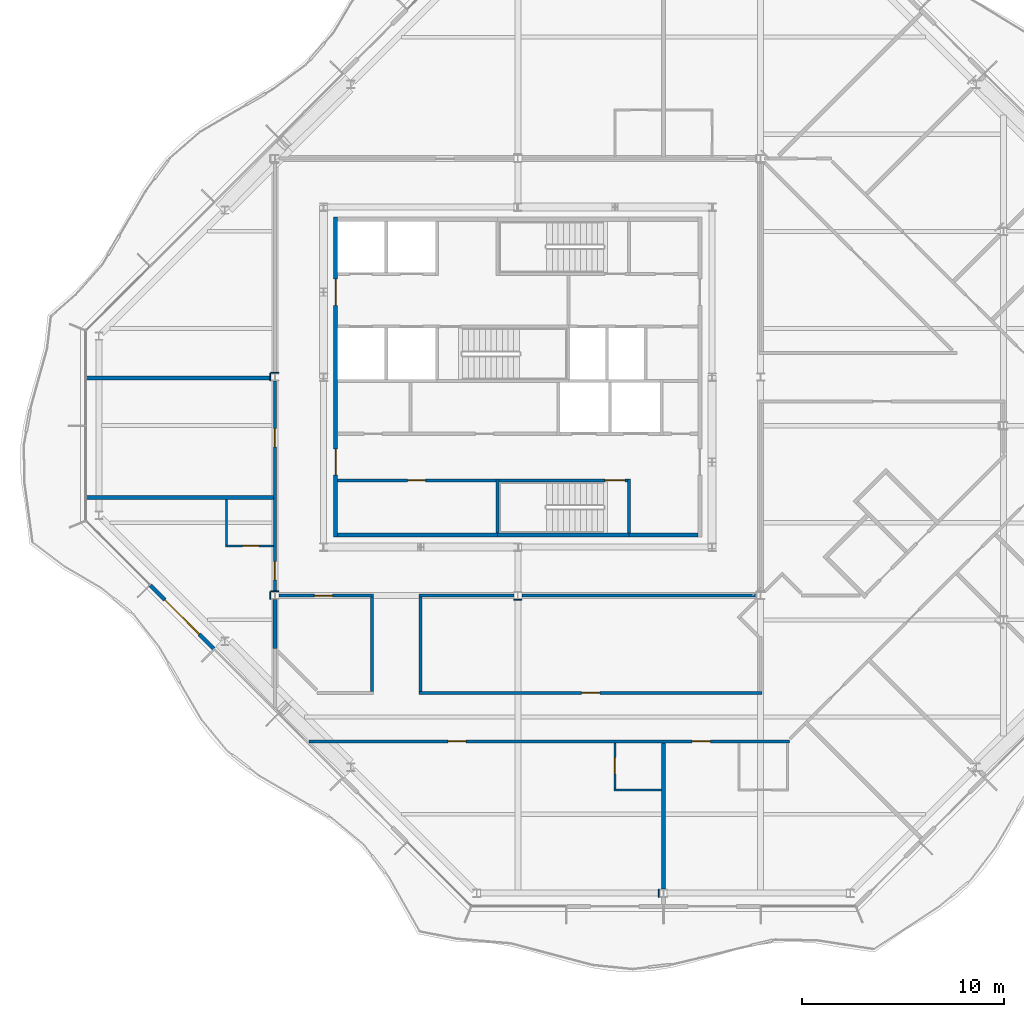
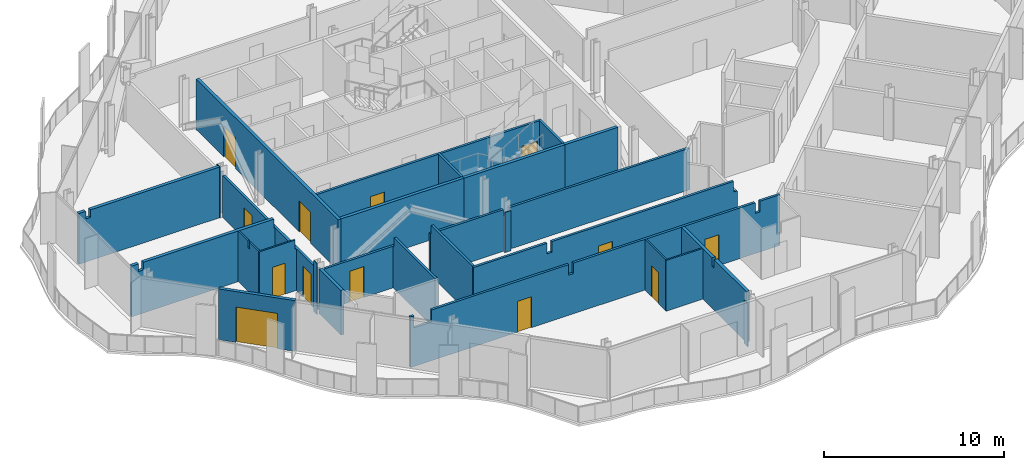
# One storey, part 7 of 17: 31 walls, 13 doors, 13 openings.
"""IFC4 building model written with IfcOpenShell, lengths in metres."""

from ifc_helpers import new_model, si_unit, direction, frame, frame_2d, origin, place, context, subcontext, project, spatial, polyline, rectangle, outline, extrude, material, layer, layer_set, type_object, element, fill, save


model = new_model("IFC4")

# Units and contexts
model_context = context("Model", 3, precision=1e-05, world=origin(), true_north=direction((0.0, 1.0)))
body_context = subcontext(model_context, "Body", "Model", "MODEL_VIEW")
ifc_project = project(units=[si_unit("LENGTHUNIT", "METRE"), si_unit("AREAUNIT", "SQUARE_METRE"), si_unit("VOLUMEUNIT", "CUBIC_METRE"), si_unit("PLANEANGLEUNIT", "RADIAN"), si_unit("MASSUNIT", "GRAM", prefix="KILO")], contexts=[model_context])

# Site, building, storey
site_placement = place(None, origin())
site = spatial("IfcSite", under=ifc_project, at=site_placement, CompositionType="ELEMENT")
building_placement = place(site_placement, origin())
building = spatial("IfcBuilding", under=site, at=building_placement, Name="Cairn Pilgrim Tower", CompositionType="ELEMENT")
storey_placement = place(building_placement, frame((0.0, 0.0, 243.0)))
storey = spatial("IfcBuildingStorey", under=building, at=storey_placement, Name="L62", CompositionType="ELEMENT", Elevation=243.0)

# Wall, opening, door
ifc_material_1 = material(Name="Bronze anodised aluminium insulated sandwich panel with mineral wool fill", Category="aluminium")
ifc_layer_1 = layer(ifc_material_1, 0.199951171875)
ifc_layer_set_1 = layer_set([ifc_layer_1], Name="BRONZE INFILL FRAME WALL 200")
wall_type_1 = type_object("IfcWallType", Name="BRONZE INFILL FRAME WALL 200", PredefinedType="NOTDEFINED", material=ifc_layer_set_1)
wall_1_placement = place(storey_placement, frame((-10.953125, -7.893310546875, 0.0), z_axis=(0.0, 0.0, 1.0), x_axis=(0.707106781187, -0.707106781187, 0.0)))
wall_1 = element("IfcWall", 1, at=wall_1_placement, inside=storey, type_object=wall_type_1, Name="Bronze infill frame wall IW-SW2", PredefinedType="NOTDEFINED", context=body_context, shape_type="SweptSolid", body=[
    extrude(rectangle(XDim=4.430908203125, YDim=0.199951171875, at=frame_2d((2.21533203125, 0.0))), origin(), (0.0, 0.0, 1.0), 3.449951171875),
])
opening_1_placement = place(wall_1_placement, frame((1.015380859375, 0.0, 0.0)))
opening_1 = element("IfcOpeningElement", 2, at=opening_1_placement, cuts=wall_1, Name="Opening 6214B", PredefinedType="OPENING", context=body_context, shape_type="SweptSolid", body=[
    extrude(rectangle(XDim=2.39990234375, YDim=2.39990234375, at=frame_2d((1.199951171875, 1.199951171875))), frame((0.0, 0.10986328125, 0.0), z_axis=(0.0, -1.0, 0.0), x_axis=(1.0, 0.0, 0.0)), (0.0, 0.0, 1.0), 0.219970703125),
])
ifc_material_2 = material(Name="Bronze anodised aluminium frame with tinted low-E glass", Category="aluminium")
door_type_1 = type_object("IfcDoorType", Name="BALCONY SLIDING DOOR 2400x2400", OperationType="DOUBLE_DOOR_SLIDING", PredefinedType="DOOR", material=ifc_material_2)
door_1_placement = place(opening_1_placement, origin())
door_1 = element("IfcDoor", 3, at=door_1_placement, inside=storey, type_object=door_type_1, Name="Balcony sliding door 6214B", OperationType="SINGLE_SWING_LEFT", OverallHeight=2.39990234375, OverallWidth=2.39990234375, PredefinedType="DOOR", context=body_context, shape_type="SweptSolid", body=[
    extrude(rectangle(XDim=2.39990234375, YDim=2.39990234375, at=frame_2d((1.199951171875, 1.199951171875))), frame((0.0, 0.02490234375, 0.0), z_axis=(0.0, -1.0, 0.0), x_axis=(1.0, 0.0, 0.0)), (0.0, 0.0, 1.0), 0.050048828125),
])
fill(opening_1, door_1)

# Walls
ifc_material_3 = material(Name="Concrete C32/40", Category="concrete")
ifc_layer_2 = layer(ifc_material_3, 0.199951171875)
ifc_layer_set_2 = layer_set([ifc_layer_2], Name="CORE OUTER WALL 200 EI 120")
wall_type_2 = type_object("IfcWallType", Name="CORE OUTER WALL 200 EI 120", PredefinedType="SOLIDWALL", material=ifc_layer_set_2)
wall_2_placement = place(storey_placement, frame((-1.699951171875, -5.39990234375, 0.0), z_axis=(0.0, 0.0, 1.0), x_axis=(1.0, 0.0, 0.0)))
element("IfcWall", 4, at=wall_2_placement, inside=storey, type_object=wall_type_2, Name="CW:L62:H01-1", PredefinedType="SOLIDWALL", context=body_context, shape_type="SweptSolid", body=[
    extrude(rectangle(XDim=7.89990234375, YDim=0.199951171875, at=frame_2d((3.949951171875, 0.0))), origin(), (0.0, 0.0, 1.0), 3.449951171875),
])
wall_3_placement = place(storey_placement, frame((12.699951171875, -5.39990234375, 0.0), z_axis=(0.0, 0.0, 1.0), x_axis=(1.0, 0.0, 0.0)))
element("IfcWall", 5, at=wall_3_placement, inside=storey, type_object=wall_type_2, Name="CW:L62:H01-3", PredefinedType="SOLIDWALL", context=body_context, shape_type="SweptSolid", body=[
    extrude(rectangle(XDim=3.400146484375, YDim=0.199951171875, at=frame_2d((1.7001953125, 0.0))), origin(), (0.0, 0.0, 1.0), 3.449951171875),
])

# Wall, openings, doors
wall_4_placement = place(storey_placement, frame((-1.800048828125, -5.5, 0.0), z_axis=(0.0, 0.0, 1.0), x_axis=(0.0, 1.0, 0.0)))
wall_4 = element("IfcWall", 6, at=wall_4_placement, inside=storey, type_object=wall_type_2, Name="CW:L62:V13", PredefinedType="SOLIDWALL", context=body_context, shape_type="SweptSolid", body=[
    extrude(rectangle(XDim=15.800048828125, YDim=0.199951171875, at=frame_2d((7.89990234375, 0.0))), origin(), (0.0, 0.0, 1.0), 3.449951171875),
])
opening_2_placement = place(wall_4_placement, frame((3.050048828125, 0.0, 0.0)))
opening_2 = element("IfcOpeningElement", 7, at=opening_2_placement, cuts=wall_4, Name="Opening CD-W1", PredefinedType="OPENING", context=body_context, shape_type="SweptSolid", body=[
    extrude(rectangle(XDim=1.300048828125, YDim=2.10009765625, at=frame_2d((0.64990234375, 1.050048828125))), frame((0.0, 0.10986328125, 0.0), z_axis=(0.0, -1.0, 0.0), x_axis=(1.0, 0.0, 0.0)), (0.0, 0.0, 1.0), 0.219970703125),
])
opening_3_placement = place(wall_4_placement, frame((11.449951171875, 0.0, 0.0)))
opening_3 = element("IfcOpeningElement", 8, at=opening_3_placement, cuts=wall_4, Name="Opening CD-W2", PredefinedType="OPENING", context=body_context, shape_type="SweptSolid", body=[
    extrude(rectangle(XDim=1.300048828125, YDim=2.10009765625, at=frame_2d((0.64990234375, 1.050048828125))), frame((0.0, 0.10986328125, 0.0), z_axis=(0.0, -1.0, 0.0), x_axis=(1.0, 0.0, 0.0)), (0.0, 0.0, 1.0), 0.219970703125),
])
ifc_material_4 = material(Name="Painted steel", Category="steel")
door_type_2 = type_object("IfcDoorType", Name="CORE LOBBY DOOR 1300x2100", OperationType="DOUBLE_DOOR_SINGLE_SWING", PredefinedType="DOOR", material=ifc_material_4)
door_2_placement = place(opening_2_placement, origin())
door_2 = element("IfcDoor", 9, at=door_2_placement, inside=storey, type_object=door_type_2, Name="CD-W1", OperationType="DOUBLE_DOOR_SINGLE_SWING", OverallHeight=2.10009765625, OverallWidth=1.300048828125, PredefinedType="DOOR", context=body_context, shape_type="SweptSolid", body=[
    extrude(rectangle(XDim=1.300048828125, YDim=2.10009765625, at=frame_2d((0.64990234375, 1.050048828125))), frame((0.0, 0.02490234375, 0.0), z_axis=(0.0, -1.0, 0.0), x_axis=(1.0, 0.0, 0.0)), (0.0, 0.0, 1.0), 0.050048828125),
])
fill(opening_2, door_2)
door_3_placement = place(opening_3_placement, origin())
door_3 = element("IfcDoor", 10, at=door_3_placement, inside=storey, type_object=door_type_2, Name="CD-W2", OperationType="DOUBLE_DOOR_SINGLE_SWING", OverallHeight=2.10009765625, OverallWidth=1.300048828125, PredefinedType="DOOR", context=body_context, shape_type="SweptSolid", body=[
    extrude(rectangle(XDim=1.300048828125, YDim=2.10009765625, at=frame_2d((0.64990234375, 1.050048828125))), frame((0.0, 0.02490234375, 0.0), z_axis=(0.0, -1.0, 0.0), x_axis=(1.0, 0.0, 0.0)), (0.0, 0.0, 1.0), 0.050048828125),
])
fill(opening_3, door_3)

# Wall, opening, door
ifc_layer_3 = layer(ifc_material_3, 0.14990234375)
ifc_layer_set_3 = layer_set([ifc_layer_3], Name="CORE PARTITION 150 EI 60")
wall_type_3 = type_object("IfcWallType", Name="CORE PARTITION 150 EI 60", PredefinedType="PARTITIONING", material=ifc_layer_set_3)
wall_5_placement = place(storey_placement, frame((-1.699951171875, -2.699951171875, 0.0), z_axis=(0.0, 0.0, 1.0), x_axis=(1.0, 0.0, 0.0)))
wall_5 = element("IfcWall", 11, at=wall_5_placement, inside=storey, type_object=wall_type_3, Name="CW:L62:H02", PredefinedType="PARTITIONING", context=body_context, shape_type="SweptSolid", body=[
    extrude(rectangle(XDim=7.824951171875, YDim=0.14990234375, at=frame_2d((3.91259765625, 0.0))), origin(), (0.0, 0.0, 1.0), 3.449951171875),
])
opening_4_placement = place(wall_5_placement, frame((3.449951171875, 0.0, 0.0)))
opening_4 = element("IfcOpeningElement", 12, at=opening_4_placement, cuts=wall_5, Name="Opening RD-R1W1", PredefinedType="OPENING", context=body_context, shape_type="SweptSolid", body=[
    extrude(rectangle(XDim=0.89990234375, YDim=2.10009765625, at=frame_2d((0.449951171875, 1.050048828125))), frame((0.0, 0.0849609375, 0.0), z_axis=(0.0, -1.0, 0.0), x_axis=(1.0, 0.0, 0.0)), (0.0, 0.0, 1.0), 0.169921875),
])
door_type_3 = type_object("IfcDoorType", Name="SERVICE ROOM DOOR 900x2100", OperationType="SINGLE_SWING_LEFT", PredefinedType="DOOR", material=ifc_material_4)
door_4_placement = place(opening_4_placement, origin())
door_4 = element("IfcDoor", 13, at=door_4_placement, inside=storey, type_object=door_type_3, Name="RD-R1W1", OperationType="SINGLE_SWING_LEFT", OverallHeight=2.10009765625, OverallWidth=0.89990234375, PredefinedType="DOOR", context=body_context, shape_type="SweptSolid", body=[
    extrude(rectangle(XDim=0.89990234375, YDim=2.10009765625, at=frame_2d((0.449951171875, 1.050048828125))), frame((0.0, 0.02490234375, 0.0), z_axis=(0.0, -1.0, 0.0), x_axis=(1.0, 0.0, 0.0)), (0.0, 0.0, 1.0), 0.050048828125),
])
fill(opening_4, door_4)

# Wall
ifc_material_5 = material(Name="Gypsum partition")
ifc_layer_4 = layer(ifc_material_5, 0.10009765625)
ifc_layer_set_4 = layer_set([ifc_layer_4], Name="PARTITION 100 DRYWALL")
wall_type_4 = type_object("IfcWallType", Name="PARTITION 100 DRYWALL", PredefinedType="PARTITIONING", material=ifc_layer_set_4)
wall_6_placement = place(storey_placement, frame((11.949951171875, -18.0, 0.0), z_axis=(0.0, 0.0, 1.0), x_axis=(1.0, 0.0, 0.0)))
element("IfcWall", 14, at=wall_6_placement, inside=storey, type_object=wall_type_4, Name="PARTITION W004", PredefinedType="PARTITIONING", context=body_context, shape_type="SweptSolid", body=[
    extrude(rectangle(XDim=2.35009765625, YDim=0.10009765625, at=frame_2d((1.175048828125, 0.0))), origin(), (0.0, 0.0, 1.0), 3.449951171875),
])

# Wall, opening, door
wall_7_placement = place(storey_placement, frame((12.0, -17.949951171875, 0.0), z_axis=(0.0, 0.0, 1.0), x_axis=(0.0, 1.0, 0.0)))
wall_7 = element("IfcWall", 15, at=wall_7_placement, inside=storey, type_object=wall_type_4, Name="PARTITION W006", PredefinedType="PARTITIONING", context=body_context, shape_type="SweptSolid", body=[
    extrude(rectangle(XDim=2.27490234375, YDim=0.10009765625, at=frame_2d((1.137451171875, 0.0))), origin(), (0.0, 0.0, 1.0), 3.449951171875),
])
opening_5_placement = place(wall_7_placement, frame((0.75, 0.0, 0.0)))
opening_5 = element("IfcOpeningElement", 16, at=opening_5_placement, cuts=wall_7, Name="Opening 6215A", PredefinedType="OPENING", context=body_context, shape_type="SweptSolid", body=[
    extrude(rectangle(XDim=0.800048828125, YDim=2.10009765625, at=frame_2d((0.39990234375, 1.050048828125))), frame((0.0, 0.06005859375, 0.0), z_axis=(0.0, -1.0, 0.0), x_axis=(1.0, 0.0, 0.0)), (0.0, 0.0, 1.0), 0.1201171875),
])
ifc_material_6 = material(Name="Timber door leaf", Category="wood")
door_type_4 = type_object("IfcDoorType", Name="WC DOOR 800x2100", OperationType="NOTDEFINED", PredefinedType="DOOR", material=ifc_material_6)
door_5_placement = place(opening_5_placement, origin())
door_5 = element("IfcDoor", 17, at=door_5_placement, inside=storey, type_object=door_type_4, Name="DOOR 6215A", OperationType="SINGLE_SWING_LEFT", OverallHeight=2.10009765625, OverallWidth=0.800048828125, PredefinedType="DOOR", context=body_context, shape_type="SweptSolid", body=[
    extrude(rectangle(XDim=0.800048828125, YDim=2.10009765625, at=frame_2d((0.39990234375, 1.050048828125))), frame((0.0, 0.02490234375, 0.0), z_axis=(0.0, -1.0, 0.0), x_axis=(1.0, 0.0, 0.0)), (0.0, 0.0, 1.0), 0.050048828125),
])
fill(opening_5, door_5)

wall_8_placement = place(storey_placement, frame((-7.25, -5.944091796875, 0.0), z_axis=(0.0, 0.0, 1.0), x_axis=(1.0, 0.0, 0.0)))
wall_8 = element("IfcWall", 18, at=wall_8_placement, inside=storey, type_object=wall_type_4, Name="PARTITION W043", PredefinedType="PARTITIONING", context=body_context, shape_type="SweptSolid", body=[
    extrude(outline(polyline([(0.0, 0.0), (2.375, 0.0), (2.375, 2.830078125), (2.300048828125, 2.830078125), (2.298095703125, 3.449951171875), (0.0, 3.449951171875), (0.0, 0.0)])), frame((0.0, 0.050048828125, 0.0), z_axis=(0.0, -1.0, 0.0), x_axis=(1.0, 0.0, 0.0)), (0.0, 0.0, 1.0), 0.10009765625),
])
opening_6_placement = place(wall_8_placement, frame((0.85009765625, 0.0, 0.0)))
opening_6 = element("IfcOpeningElement", 19, at=opening_6_placement, cuts=wall_8, Name="Opening 6214A", PredefinedType="OPENING", context=body_context, shape_type="SweptSolid", body=[
    extrude(rectangle(XDim=0.800048828125, YDim=2.10009765625, at=frame_2d((0.39990234375, 1.050048828125))), frame((0.0, 0.06005859375, 0.0), z_axis=(0.0, -1.0, 0.0), x_axis=(1.0, 0.0, 0.0)), (0.0, 0.0, 1.0), 0.1201171875),
])
door_6_placement = place(opening_6_placement, frame((0.800048828125, 0.0, 0.0), z_axis=(0.0, 0.0, 1.0), x_axis=(-1.0, 0.0, 0.0)))
door_6 = element("IfcDoor", 20, at=door_6_placement, inside=storey, type_object=door_type_4, Name="DOOR 6214A", OperationType="SINGLE_SWING_LEFT", OverallHeight=2.10009765625, OverallWidth=0.800048828125, PredefinedType="DOOR", context=body_context, shape_type="SweptSolid", body=[
    extrude(rectangle(XDim=0.800048828125, YDim=2.10009765625, at=frame_2d((0.39990234375, 1.050048828125))), frame((0.0, 0.02490234375, 0.0), z_axis=(0.0, -1.0, 0.0), x_axis=(1.0, 0.0, 0.0)), (0.0, 0.0, 1.0), 0.050048828125),
])
fill(opening_6, door_6)

# Wall
wall_9_placement = place(storey_placement, frame((-7.199951171875, -5.89404296875, 0.0), z_axis=(0.0, 0.0, 1.0), x_axis=(0.0, 1.0, 0.0)))
element("IfcWall", 21, at=wall_9_placement, inside=storey, type_object=wall_type_4, Name="PARTITION W044", PredefinedType="PARTITIONING", context=body_context, shape_type="SweptSolid", body=[
    extrude(outline(polyline([(0.0, 0.0), (2.25, 0.0), (2.25, 3.449951171875), (1.18896484375, 3.449951171875), (1.18701171875, 2.97998046875), (0.9990234375, 2.97998046875), (0.9970703125, 3.449951171875), (0.0, 3.449951171875), (0.0, 0.0)])), frame((0.0, 0.050048828125, 0.0), z_axis=(0.0, -1.0, 0.0), x_axis=(1.0, 0.0, 0.0)), (0.0, 0.0, 1.0), 0.10009765625),
])

# Wall, openings, doors
ifc_layer_5 = layer(ifc_material_5, 0.14990234375)
ifc_layer_set_5 = layer_set([ifc_layer_5], Name="PARTITION 150 DRYWALL EI 60")
wall_type_5 = type_object("IfcWallType", Name="PARTITION 150 DRYWALL EI 60", PredefinedType="PARTITIONING", material=ifc_layer_set_5)
wall_10_placement = place(storey_placement, frame((-3.126220703125, -15.60009765625, 0.0), z_axis=(0.0, 0.0, 1.0), x_axis=(1.0, 0.0, 0.0)))
wall_10 = element("IfcWall", 22, at=wall_10_placement, inside=storey, type_object=wall_type_5, Name="PARTITION W011", PredefinedType="PARTITIONING", context=body_context, shape_type="SweptSolid", body=[
    extrude(outline(polyline([(0.0, 0.0), (23.75341796875, 0.0), (23.753173828125, 3.449951171875), (22.47607421875, 3.449951171875), (22.47412109375, 2.72998046875), (22.176025390625, 2.72998046875), (22.174072265625, 3.449951171875), (10.47607421875, 3.449951171875), (10.47412109375, 2.72998046875), (10.176025390625, 2.72998046875), (10.174072265625, 3.449951171875), (1.368896484375, 3.449951171875), (1.366943359375, 2.6298828125), (0.22900390625, 2.6298828125), (0.226806640625, 3.449951171875), (0.0, 3.449951171875), (0.0, 0.0)])), frame((0.0, 0.074951171875, 0.0), z_axis=(0.0, -1.0, 0.0), x_axis=(1.0, 0.0, 0.0)), (0.0, 0.0, 1.0), 0.14990234375),
])
opening_7_placement = place(wall_10_placement, frame((18.93701171875, 0.0, 0.0)))
opening_7 = element("IfcOpeningElement", 23, at=opening_7_placement, cuts=wall_10, Name="Opening 6201", PredefinedType="OPENING", context=body_context, shape_type="SweptSolid", body=[
    extrude(rectangle(XDim=0.89990234375, YDim=2.10009765625, at=frame_2d((0.449951171875, 1.050048828125))), frame((0.0, 0.0849609375, 0.0), z_axis=(0.0, -1.0, 0.0), x_axis=(1.0, 0.0, 0.0)), (0.0, 0.0, 1.0), 0.169921875),
])
opening_8_placement = place(wall_10_placement, frame((6.8759765625, 0.0, 0.0)))
opening_8 = element("IfcOpeningElement", 24, at=opening_8_placement, cuts=wall_10, Name="Opening 6215", PredefinedType="OPENING", context=body_context, shape_type="SweptSolid", body=[
    extrude(rectangle(XDim=0.89990234375, YDim=2.10009765625, at=frame_2d((0.449951171875, 1.050048828125))), frame((0.0, 0.0849609375, 0.0), z_axis=(0.0, -1.0, 0.0), x_axis=(1.0, 0.0, 0.0)), (0.0, 0.0, 1.0), 0.169921875),
])
door_type_5 = type_object("IfcDoorType", Name="ROOM DOOR 900x2100 FD30S", OperationType="NOTDEFINED", PredefinedType="DOOR", material=ifc_material_6)
door_7_placement = place(opening_7_placement, frame((0.89990234375, 0.0, 0.0), z_axis=(0.0, 0.0, 1.0), x_axis=(-1.0, 0.0, 0.0)))
door_7 = element("IfcDoor", 25, at=door_7_placement, inside=storey, type_object=door_type_5, Name="DOOR 6201", OperationType="SINGLE_SWING_RIGHT", OverallHeight=2.10009765625, OverallWidth=0.89990234375, PredefinedType="DOOR", context=body_context, shape_type="SweptSolid", body=[
    extrude(rectangle(XDim=0.89990234375, YDim=2.10009765625, at=frame_2d((0.449951171875, 1.050048828125))), frame((0.0, 0.02490234375, 0.0), z_axis=(0.0, -1.0, 0.0), x_axis=(1.0, 0.0, 0.0)), (0.0, 0.0, 1.0), 0.050048828125),
])
fill(opening_7, door_7)
door_8_placement = place(opening_8_placement, frame((0.89990234375, 0.0, 0.0), z_axis=(0.0, 0.0, 1.0), x_axis=(-1.0, 0.0, 0.0)))
door_8 = element("IfcDoor", 26, at=door_8_placement, inside=storey, type_object=door_type_5, Name="DOOR 6215", OperationType="SINGLE_SWING_LEFT", OverallHeight=2.10009765625, OverallWidth=0.89990234375, PredefinedType="DOOR", context=body_context, shape_type="SweptSolid", body=[
    extrude(rectangle(XDim=0.89990234375, YDim=2.10009765625, at=frame_2d((0.449951171875, 1.050048828125))), frame((0.0, 0.02490234375, 0.0), z_axis=(0.0, -1.0, 0.0), x_axis=(1.0, 0.0, 0.0)), (0.0, 0.0, 1.0), 0.050048828125),
])
fill(opening_8, door_8)

# Wall, opening, door
wall_11_placement = place(storey_placement, frame((2.324951171875, -13.199951171875, 0.0), z_axis=(0.0, 0.0, 1.0), x_axis=(1.0, 0.0, 0.0)))
wall_11 = element("IfcWall", 27, at=wall_11_placement, inside=storey, type_object=wall_type_5, Name="PARTITION W016", PredefinedType="PARTITIONING", context=body_context, shape_type="SweptSolid", body=[
    extrude(outline(polyline([(0.0, 0.0), (16.949951171875, 0.0), (16.949951171875, 2.72998046875), (16.72509765625, 2.72998046875), (16.722900390625, 3.449951171875), (5.02490234375, 3.449951171875), (5.02294921875, 2.72998046875), (4.72509765625, 2.72998046875), (4.722900390625, 3.449951171875), (0.0, 3.449951171875), (0.0, 0.0)])), frame((0.0, 0.074951171875, 0.0), z_axis=(0.0, -1.0, 0.0), x_axis=(1.0, 0.0, 0.0)), (0.0, 0.0, 1.0), 0.14990234375),
])
opening_9_placement = place(wall_11_placement, frame((8.02490234375, 0.0, 0.0)))
opening_9 = element("IfcOpeningElement", 28, at=opening_9_placement, cuts=wall_11, Name="Opening 6221", PredefinedType="OPENING", context=body_context, shape_type="SweptSolid", body=[
    extrude(rectangle(XDim=0.89990234375, YDim=2.10009765625, at=frame_2d((0.449951171875, 1.050048828125))), frame((0.0, 0.0849609375, 0.0), z_axis=(0.0, -1.0, 0.0), x_axis=(1.0, 0.0, 0.0)), (0.0, 0.0, 1.0), 0.169921875),
])
door_type_6 = type_object("IfcDoorType", Name="SERVICE DOOR 900x2100 FD30S", OperationType="NOTDEFINED", PredefinedType="DOOR", material=ifc_material_6)
door_9_placement = place(opening_9_placement, origin())
door_9 = element("IfcDoor", 29, at=door_9_placement, inside=storey, type_object=door_type_6, Name="DOOR 6221", OperationType="SINGLE_SWING_RIGHT", OverallHeight=2.10009765625, OverallWidth=0.89990234375, PredefinedType="DOOR", context=body_context, shape_type="SweptSolid", body=[
    extrude(rectangle(XDim=0.89990234375, YDim=2.10009765625, at=frame_2d((0.449951171875, 1.050048828125))), frame((0.0, 0.02490234375, 0.0), z_axis=(0.0, -1.0, 0.0), x_axis=(1.0, 0.0, 0.0)), (0.0, 0.0, 1.0), 0.050048828125),
])
fill(opening_9, door_9)

# Walls
for number, where, z_axis, x_axis, name in (
    (30, (0.0, -13.125, 0.0), (0.0, 0.0, 1.0), (0.0, 1.0, 0.0), "PARTITION W018"),
    (31, (2.39990234375, -13.125, 0.0), (0.0, 0.0, 1.0), (0.0, 1.0, 0.0), "PARTITION W019"),
):
    element("IfcWall", number, at=place(storey_placement, frame(where, z_axis=z_axis, x_axis=x_axis)), inside=storey, type_object=wall_type_5, Name=name, PredefinedType="PARTITIONING", context=body_context, shape_type="SweptSolid", body=[
        extrude(outline(polyline([(0.0, 0.0), (4.64990234375, 0.0), (4.64990234375, 2.830078125), (4.574951171875, 2.830078125), (4.572998046875, 3.449951171875), (0.0, 3.449951171875), (0.0, 0.0)])), frame((0.0, 0.074951171875, 0.0), z_axis=(0.0, -1.0, 0.0), x_axis=(1.0, 0.0, 0.0)), (0.0, 0.0, 1.0), 0.14990234375),
    ])

# Wall, opening, door
wall_12_placement = place(storey_placement, frame((-4.60302734375, -8.39990234375, 0.0), z_axis=(0.0, 0.0, 1.0), x_axis=(1.0, 0.0, 0.0)))
wall_12 = element("IfcWall", 32, at=wall_12_placement, inside=storey, type_object=wall_type_5, Name="PARTITION W030", PredefinedType="PARTITIONING", context=body_context, shape_type="SweptSolid", body=[
    extrude(rectangle(XDim=4.677978515625, YDim=0.14990234375, at=frame_2d((2.3388671875, 0.0))), origin(), (0.0, 0.0, 1.0), 2.830078125),
])
opening_10_placement = place(wall_12_placement, frame((1.7529296875, 0.0, 0.0)))
opening_10 = element("IfcOpeningElement", 33, at=opening_10_placement, cuts=wall_12, Name="Opening 6220", PredefinedType="OPENING", context=body_context, shape_type="SweptSolid", body=[
    extrude(rectangle(XDim=0.89990234375, YDim=2.10009765625, at=frame_2d((0.449951171875, 1.050048828125))), frame((0.0, 0.0849609375, 0.0), z_axis=(0.0, -1.0, 0.0), x_axis=(1.0, 0.0, 0.0)), (0.0, 0.0, 1.0), 0.169921875),
])
door_10_placement = place(opening_10_placement, frame((0.89990234375, 0.0, 0.0), z_axis=(0.0, 0.0, 1.0), x_axis=(-1.0, 0.0, 0.0)))
door_10 = element("IfcDoor", 34, at=door_10_placement, inside=storey, type_object=door_type_6, Name="DOOR 6220", OperationType="SINGLE_SWING_RIGHT", OverallHeight=2.10009765625, OverallWidth=0.89990234375, PredefinedType="DOOR", context=body_context, shape_type="SweptSolid", body=[
    extrude(rectangle(XDim=0.89990234375, YDim=2.10009765625, at=frame_2d((0.449951171875, 1.050048828125))), frame((0.0, 0.02490234375, 0.0), z_axis=(0.0, -1.0, 0.0), x_axis=(1.0, 0.0, 0.0)), (0.0, 0.0, 1.0), 0.050048828125),
])
fill(opening_10, door_10)

# Walls
wall_13_placement = place(storey_placement, frame((2.324951171875, -8.39990234375, 0.0), z_axis=(0.0, 0.0, 1.0), x_axis=(1.0, 0.0, 0.0)))
element("IfcWall", 35, at=wall_13_placement, inside=storey, type_object=wall_type_5, Name="PARTITION W031", PredefinedType="PARTITIONING", context=body_context, shape_type="SweptSolid", body=[
    extrude(rectangle(XDim=4.677978515625, YDim=0.14990234375, at=frame_2d((2.3388671875, 0.0))), origin(), (0.0, 0.0, 1.0), 2.830078125),
])
wall_14_placement = place(storey_placement, frame((7.39697265625, -8.39990234375, 0.0), z_axis=(0.0, 0.0, 1.0), x_axis=(1.0, 0.0, 0.0)))
element("IfcWall", 36, at=wall_14_placement, inside=storey, type_object=wall_type_5, Name="PARTITION W032", PredefinedType="PARTITIONING", context=body_context, shape_type="SweptSolid", body=[
    extrude(rectangle(XDim=11.60595703125, YDim=0.14990234375, at=frame_2d((5.802978515625, 0.0))), origin(), (0.0, 0.0, 1.0), 2.830078125),
])

# Wall, openings, doors
wall_15_placement = place(storey_placement, frame((-4.800048828125, -8.21240234375, 0.0), z_axis=(0.0, 0.0, 1.0), x_axis=(0.0, 1.0, 0.0)))
wall_15 = element("IfcWall", 37, at=wall_15_placement, inside=storey, type_object=wall_type_5, Name="PARTITION W036", PredefinedType="PARTITIONING", context=body_context, shape_type="SweptSolid", body=[
    extrude(rectangle(XDim=10.4248046875, YDim=0.14990234375, at=frame_2d((5.21240234375, 0.0))), origin(), (0.0, 0.0, 1.0), 2.830078125),
])
opening_11_placement = place(wall_15_placement, frame((7.16259765625, 0.0, 0.0)))
opening_11 = element("IfcOpeningElement", 38, at=opening_11_placement, cuts=wall_15, Name="Opening 6213", PredefinedType="OPENING", context=body_context, shape_type="SweptSolid", body=[
    extrude(rectangle(XDim=0.89990234375, YDim=2.10009765625, at=frame_2d((0.449951171875, 1.050048828125))), frame((0.0, 0.0849609375, 0.0), z_axis=(0.0, -1.0, 0.0), x_axis=(1.0, 0.0, 0.0)), (0.0, 0.0, 1.0), 0.169921875),
])
opening_12_placement = place(wall_15_placement, frame((0.590576171875, 0.0, 0.0)))
opening_12 = element("IfcOpeningElement", 39, at=opening_12_placement, cuts=wall_15, Name="Opening 6214", PredefinedType="OPENING", context=body_context, shape_type="SweptSolid", body=[
    extrude(rectangle(XDim=0.89990234375, YDim=2.10009765625, at=frame_2d((0.449951171875, 1.050048828125))), frame((0.0, 0.0849609375, 0.0), z_axis=(0.0, -1.0, 0.0), x_axis=(1.0, 0.0, 0.0)), (0.0, 0.0, 1.0), 0.169921875),
])
door_11_placement = place(opening_12_placement, origin())
door_11 = element("IfcDoor", 40, at=door_11_placement, inside=storey, type_object=door_type_5, Name="DOOR 6214", OperationType="SINGLE_SWING_LEFT", OverallHeight=2.10009765625, OverallWidth=0.89990234375, PredefinedType="DOOR", context=body_context, shape_type="SweptSolid", body=[
    extrude(rectangle(XDim=0.89990234375, YDim=2.10009765625, at=frame_2d((0.449951171875, 1.050048828125))), frame((0.0, 0.02490234375, 0.0), z_axis=(0.0, -1.0, 0.0), x_axis=(1.0, 0.0, 0.0)), (0.0, 0.0, 1.0), 0.050048828125),
])
fill(opening_12, door_11)
door_12_placement = place(opening_11_placement, origin())
door_12 = element("IfcDoor", 41, at=door_12_placement, inside=storey, type_object=door_type_6, Name="DOOR 6213", OperationType="SINGLE_SWING_LEFT", OverallHeight=2.10009765625, OverallWidth=0.89990234375, PredefinedType="DOOR", context=body_context, shape_type="SweptSolid", body=[
    extrude(rectangle(XDim=0.89990234375, YDim=2.10009765625, at=frame_2d((0.449951171875, 1.050048828125))), frame((0.0, 0.02490234375, 0.0), z_axis=(0.0, -1.0, 0.0), x_axis=(1.0, 0.0, 0.0)), (0.0, 0.0, 1.0), 0.050048828125),
])
fill(opening_11, door_12)

# Walls
ifc_layer_6 = layer(ifc_material_5, 0.050048828125)
ifc_layer_set_6 = layer_set([ifc_layer_6], Name="PARTITION 50 DRYWALL EI 60")
wall_type_6 = type_object("IfcWallType", Name="PARTITION 50 DRYWALL EI 60", PredefinedType="PARTITIONING", material=ifc_layer_set_6)
wall_16_placement = place(storey_placement, frame((14.173095703125, -23.303466796875, 0.0), z_axis=(0.0, 0.0, 1.0), x_axis=(0.0, 1.0, 0.0)))
element("IfcWall", 42, at=wall_16_placement, inside=storey, type_object=wall_type_6, Name="COLUMN CASING WC01", PredefinedType="PARTITIONING", context=body_context, shape_type="SweptSolid", body=[
    extrude(rectangle(XDim=0.406982421875, YDim=0.050048828125, at=frame_2d((0.20361328125, 0.0))), origin(), (0.0, 0.0, 1.0), 2.929931640625),
])
for number, where, z_axis, x_axis, name in (
    (43, (-5.02197265625, -8.58740234375, 0.0), (0.0, 0.0, 1.0), (0.0, 1.0, 0.0), "COLUMN CASING WC05"),
    (44, (-5.02197265625, 2.21240234375, 0.0), (0.0, 0.0, 1.0), (0.0, 1.0, 0.0), "COLUMN CASING WC07"),
):
    element("IfcWall", number, at=place(storey_placement, frame(where, z_axis=z_axis, x_axis=x_axis)), inside=storey, type_object=wall_type_6, Name=name, PredefinedType="PARTITIONING", context=body_context, shape_type="SweptSolid", body=[
        extrude(rectangle(XDim=0.375, YDim=0.050048828125, at=frame_2d((0.1875, 0.0))), origin(), (0.0, 0.0, 1.0), 3.449951171875),
    ])
wall_17_placement = place(storey_placement, frame((-4.9970703125, -8.1875, 0.0), z_axis=(0.0, 0.0, 1.0), x_axis=(1.0, 0.0, 0.0)))
element("IfcWall", 45, at=wall_17_placement, inside=storey, type_object=wall_type_6, Name="COLUMN CASING WC09", PredefinedType="PARTITIONING", context=body_context, shape_type="SweptSolid", body=[
    extrude(rectangle(XDim=0.39404296875, YDim=0.050048828125, at=frame_2d((0.197021484375, 0.0))), origin(), (0.0, 0.0, 1.0), 2.830078125),
])
wall_18_placement = place(storey_placement, frame((7.0029296875, -8.612548828125, 0.0), z_axis=(0.0, 0.0, 1.0), x_axis=(1.0, 0.0, 0.0)))
element("IfcWall", 46, at=wall_18_placement, inside=storey, type_object=wall_type_6, Name="COLUMN CASING WC10", PredefinedType="PARTITIONING", context=body_context, shape_type="SweptSolid", body=[
    extrude(rectangle(XDim=0.39404296875, YDim=0.050048828125, at=frame_2d((0.197021484375, 0.0))), origin(), (0.0, 0.0, 1.0), 2.72998046875),
])
wall_19_placement = place(storey_placement, frame((-4.9970703125, 2.612548828125, 0.0), z_axis=(0.0, 0.0, 1.0), x_axis=(1.0, 0.0, 0.0)))
element("IfcWall", 47, at=wall_19_placement, inside=storey, type_object=wall_type_6, Name="COLUMN CASING WC14", PredefinedType="PARTITIONING", context=body_context, shape_type="SweptSolid", body=[
    extrude(rectangle(XDim=0.39404296875, YDim=0.050048828125, at=frame_2d((0.197021484375, 0.0))), origin(), (0.0, 0.0, 1.0), 2.830078125),
])
ifc_layer_7 = layer(ifc_material_5, 0.199951171875)
ifc_layer_set_7 = layer_set([ifc_layer_7], Name="SHAFT WALL 200 GYPSUM EI 60")
wall_type_7 = type_object("IfcWallType", Name="SHAFT WALL 200 GYPSUM EI 60", PredefinedType="PARTITIONING", material=ifc_layer_set_7)
wall_20_placement = place(storey_placement, frame((14.39990234375, -22.896484375, 0.0), z_axis=(0.0, 0.0, 1.0), x_axis=(0.0, 1.0, 0.0)))
element("IfcWall", 48, at=wall_20_placement, inside=storey, type_object=wall_type_7, Name="PARTITION W002", PredefinedType="PARTITIONING", context=body_context, shape_type="SweptSolid", body=[
    extrude(outline(polyline([(0.0, 0.0), (7.221435546875, 0.0), (7.221435546875, 3.449951171875), (3.801513671875, 3.449951171875), (3.799560546875, 2.8798828125), (3.591552734375, 2.8798828125), (3.589599609375, 3.449951171875), (0.0, 3.449951171875), (0.0, 0.0)])), frame((0.0, 0.10009765625, 0.0), z_axis=(0.0, -1.0, 0.0), x_axis=(1.0, 0.0, 0.0)), (0.0, 0.0, 1.0), 0.199951171875),
])
wall_21_placement = place(storey_placement, frame((-4.800048828125, -11.006103515625, 0.0), z_axis=(0.0, 0.0, 1.0), x_axis=(0.0, 1.0, 0.0)))
element("IfcWall", 49, at=wall_21_placement, inside=storey, type_object=wall_type_7, Name="PARTITION W024", PredefinedType="PARTITIONING", context=body_context, shape_type="SweptSolid", body=[
    extrude(rectangle(XDim=2.418701171875, YDim=0.199951171875, at=frame_2d((1.20947265625, 0.0))), origin(), (0.0, 0.0, 1.0), 3.030029296875),
])
wall_22_placement = place(storey_placement, frame((-14.10302734375, -3.5439453125, 0.0), z_axis=(0.0, 0.0, 1.0), x_axis=(1.0, 0.0, 0.0)))
element("IfcWall", 50, at=wall_22_placement, inside=storey, type_object=wall_type_7, Name="PARTITION W049", PredefinedType="PARTITIONING", context=body_context, shape_type="SweptSolid", body=[
    extrude(outline(polyline([(0.0, 0.0), (9.22802734375, 0.0), (9.22802734375, 2.830078125), (9.153076171875, 2.830078125), (9.15087890625, 3.449951171875), (0.7529296875, 3.449951171875), (0.7509765625, 2.929931640625), (0.452880859375, 2.929931640625), (0.450927734375, 3.449951171875), (0.0, 3.449951171875), (0.0, 0.0)])), frame((0.0, 0.10009765625, 0.0), z_axis=(0.0, -1.0, 0.0), x_axis=(1.0, 0.0, 0.0)), (0.0, 0.0, 1.0), 0.199951171875),
])
wall_23_placement = place(storey_placement, frame((-14.10302734375, 2.343994140625, 0.0), z_axis=(0.0, 0.0, 1.0), x_axis=(1.0, 0.0, 0.0)))
element("IfcWall", 51, at=wall_23_placement, inside=storey, type_object=wall_type_7, Name="PARTITION W060", PredefinedType="PARTITIONING", context=body_context, shape_type="SweptSolid", body=[
    extrude(outline(polyline([(0.0, 0.0), (9.10595703125, 0.0), (9.10595703125, 3.449951171875), (0.7529296875, 3.449951171875), (0.7509765625, 2.929931640625), (0.452880859375, 2.929931640625), (0.450927734375, 3.449951171875), (0.0, 3.449951171875), (0.0, 0.0)])), frame((0.0, 0.10009765625, 0.0), z_axis=(0.0, -1.0, 0.0), x_axis=(1.0, 0.0, 0.0)), (0.0, 0.0, 1.0), 0.199951171875),
])

# Wall, opening, door
ifc_material_7 = material(Name="Concrete C35/45", Category="concrete")
ifc_layer_8 = layer(ifc_material_7, 0.14990234375)
ifc_layer_set_8 = layer_set([ifc_layer_8], Name="STAIR SHAFT WALL 150 EI 120")
wall_type_8 = type_object("IfcWallType", Name="STAIR SHAFT WALL 150 EI 120", PredefinedType="SOLIDWALL", material=ifc_layer_set_8)
wall_24_placement = place(storey_placement, frame((6.27490234375, -2.699951171875, 0.0), z_axis=(0.0, 0.0, 1.0), x_axis=(1.0, 0.0, 0.0)))
wall_24 = element("IfcWall", 52, at=wall_24_placement, inside=storey, type_object=wall_type_8, Name="CW:L62:H03", PredefinedType="SOLIDWALL", context=body_context, shape_type="SweptSolid", body=[
    extrude(rectangle(XDim=6.35009765625, YDim=0.14990234375, at=frame_2d((3.175048828125, 0.0))), origin(), (0.0, 0.0, 1.0), 3.449951171875),
])
opening_13_placement = place(wall_24_placement, frame((5.22509765625, 0.0, 0.0)))
opening_13 = element("IfcOpeningElement", 53, at=opening_13_placement, cuts=wall_24, Name="Opening SD-A", PredefinedType="OPENING", context=body_context, shape_type="SweptSolid", body=[
    extrude(rectangle(XDim=1.0, YDim=2.10009765625, at=frame_2d((0.5, 1.050048828125))), frame((0.0, 0.0849609375, 0.0), z_axis=(0.0, -1.0, 0.0), x_axis=(1.0, 0.0, 0.0)), (0.0, 0.0, 1.0), 0.169921875),
])
door_type_7 = type_object("IfcDoorType", Name="STAIR DOOR FD60S 1000x2100", OperationType="SINGLE_SWING_LEFT", PredefinedType="DOOR", material=ifc_material_4)
door_13_placement = place(opening_13_placement, origin())
door_13 = element("IfcDoor", 54, at=door_13_placement, inside=storey, type_object=door_type_7, Name="SD-A", OperationType="SINGLE_SWING_LEFT", OverallHeight=2.10009765625, OverallWidth=1.0, PredefinedType="DOOR", context=body_context, shape_type="SweptSolid", body=[
    extrude(rectangle(XDim=1.0, YDim=2.10009765625, at=frame_2d((0.5, 1.050048828125))), frame((0.0, 0.02490234375, 0.0), z_axis=(0.0, -1.0, 0.0), x_axis=(1.0, 0.0, 0.0)), (0.0, 0.0, 1.0), 0.050048828125),
])
fill(opening_13, door_13)

# Walls
for number, where, z_axis, x_axis, name in (
    (55, (6.199951171875, -5.300048828125, 0.0), (0.0, 0.0, 1.0), (0.0, 1.0, 0.0), "CW:L62:V19"),
    (56, (12.699951171875, -5.300048828125, 0.0), (0.0, 0.0, 1.0), (0.0, 1.0, 0.0), "CW:L62:V26"),
):
    element("IfcWall", number, at=place(storey_placement, frame(where, z_axis=z_axis, x_axis=x_axis)), inside=storey, type_object=wall_type_8, Name=name, PredefinedType="SOLIDWALL", context=body_context, shape_type="SweptSolid", body=[
        extrude(rectangle(XDim=2.675048828125, YDim=0.14990234375, at=frame_2d((1.33740234375, 0.0))), origin(), (0.0, 0.0, 1.0), 3.449951171875),
    ])
ifc_layer_9 = layer(ifc_material_7, 0.199951171875)
ifc_layer_set_9 = layer_set([ifc_layer_9], Name="STAIR SHAFT WALL 200 EI 120")
wall_type_9 = type_object("IfcWallType", Name="STAIR SHAFT WALL 200 EI 120", PredefinedType="SOLIDWALL", material=ifc_layer_set_9)
wall_25_placement = place(storey_placement, frame((6.199951171875, -5.39990234375, 0.0), z_axis=(0.0, 0.0, 1.0), x_axis=(1.0, 0.0, 0.0)))
element("IfcWall", 57, at=wall_25_placement, inside=storey, type_object=wall_type_9, Name="CW:L62:H01-2", PredefinedType="SOLIDWALL", context=body_context, shape_type="SweptSolid", body=[
    extrude(rectangle(XDim=6.5, YDim=0.199951171875, at=frame_2d((3.25, 0.0))), origin(), (0.0, 0.0, 1.0), 3.449951171875),
])

save(model, "model.ifc")
